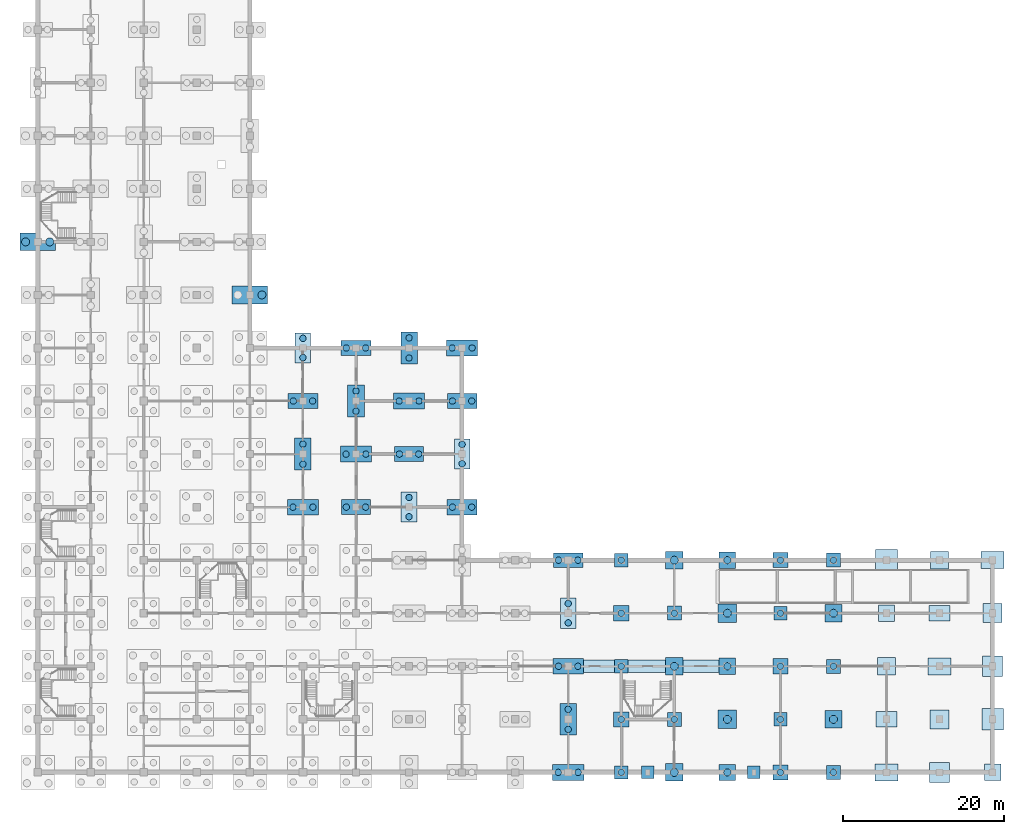
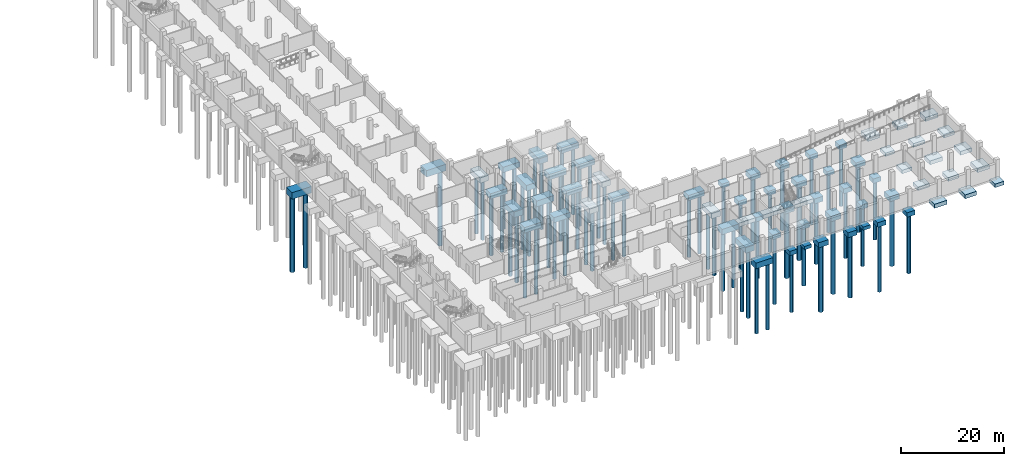
# One storey, part 3 of 18: 70 piles, 68 footings.
"""IFC4 building model written with IfcOpenShell, lengths in metres."""

from ifc_helpers import new_model, si_unit, direction, frame, origin, origin_2d, place, context, subcontext, project, spatial, rectangle, circle, extrude, material, material_profile, profile_set, type_object, element, save


model = new_model("IFC4")

# Units and contexts
model_context = context("Model", 3, precision=1e-05, world=origin(), true_north=direction((0.0, 1.0)))
body_context = subcontext(model_context, "Body", "Model", "MODEL_VIEW")
ifc_project = project(units=[si_unit("LENGTHUNIT", "METRE"), si_unit("AREAUNIT", "SQUARE_METRE"), si_unit("VOLUMEUNIT", "CUBIC_METRE"), si_unit("PLANEANGLEUNIT", "RADIAN"), si_unit("MASSUNIT", "GRAM", prefix="KILO")], contexts=[model_context])

# Site, building, storey
site_placement = place(None, origin())
site = spatial("IfcSite", under=ifc_project, at=site_placement, CompositionType="ELEMENT")
building_placement = place(site_placement, origin())
building = spatial("IfcBuilding", under=site, at=building_placement, Name="Rusizi Kubbe Research Institute", CompositionType="ELEMENT")
storey_placement = place(building_placement, frame((0.0, 0.0, -4.5)))
storey = spatial("IfcBuildingStorey", under=building, at=storey_placement, Name="B01", CompositionType="ELEMENT", Elevation=-4.5)

# Piles
ifc_material_1 = material(Name="Concrete C40/50", Category="concrete")
ifc_material_profile_1 = material_profile(ifc_material_1, circle(Radius=0.39990234375, at=origin_2d()), Name="PILE-D800")
ifc_profile_set_1 = profile_set([ifc_material_profile_1], Name="Concrete C40/50")
pile_type_1 = type_object("IfcPileType", Name="P-01", PredefinedType="BORED", material=ifc_profile_set_1)
for number, where, z_axis, x_axis, name in (
    (1, (31.800048828125, 46.199951171875, -1.97998046875), (0.0, 0.0, -1.0), (1.0, 0.0, 0.0), "Bored Pile P-01 (5,7)-1"),
    (2, (34.199951171875, 46.199951171875, -1.97998046875), (0.0, 0.0, -1.0), (1.0, 0.0, 0.0), "Bored Pile P-01 (5,7)-2"),
    (3, (33.0, 51.60009765625, -1.9599609375), (0.0, 0.0, -1.0), (1.0, 0.0, 0.0), "Bored Pile P-01 (5,8)-1"),
    (4, (33.0, 54.0, -1.9599609375), (0.0, 0.0, -1.0), (1.0, 0.0, 0.0), "Bored Pile P-01 (5,8)-2"),
    (5, (38.39990234375, 33.0, -1.93994140625), (0.0, 0.0, -1.0), (1.0, 0.0, 0.0), "Bored Pile P-01 (6,5)-1"),
    (6, (40.800048828125, 33.0, -1.93994140625), (0.0, 0.0, -1.0), (1.0, 0.0, 0.0), "Bored Pile P-01 (6,5)-2"),
    (7, (38.39990234375, 52.800048828125, -1.97998046875), (0.0, 0.0, -1.0), (1.0, 0.0, 0.0), "Bored Pile P-01 (6,8)-1"),
    (8, (40.800048828125, 52.800048828125, -1.97998046875), (0.0, 0.0, -1.0), (1.0, 0.0, 0.0), "Bored Pile P-01 (6,8)-2"),
    (9, (46.199951171875, 31.800048828125, -1.9599609375), (0.0, 0.0, -1.0), (1.0, 0.0, 0.0), "Bored Pile P-01 (7,5)-1"),
    (10, (46.199951171875, 34.199951171875, -1.9599609375), (0.0, 0.0, -1.0), (1.0, 0.0, 0.0), "Bored Pile P-01 (7,5)-2"),
    (11, (45.0, 39.60009765625, -1.93994140625), (0.0, 0.0, -1.0), (1.0, 0.0, 0.0), "Bored Pile P-01 (7,6)-1"),
    (12, (47.39990234375, 39.60009765625, -1.93994140625), (0.0, 0.0, -1.0), (1.0, 0.0, 0.0), "Bored Pile P-01 (7,6)-2"),
    (13, (51.60009765625, 33.0, -1.97998046875), (0.0, 0.0, -1.0), (1.0, 0.0, 0.0), "Bored Pile P-01 (8,5)-1"),
    (14, (54.0, 33.0, -1.97998046875), (0.0, 0.0, -1.0), (1.0, 0.0, 0.0), "Bored Pile P-01 (8,5)-2"),
    (15, (52.800048828125, 38.39990234375, -1.9599609375), (0.0, 0.0, -1.0), (1.0, 0.0, 0.0), "Bored Pile P-01 (8,6)-1"),
    (16, (52.800048828125, 40.800048828125, -1.9599609375), (0.0, 0.0, -1.0), (1.0, 0.0, 0.0), "Bored Pile P-01 (8,6)-2"),
    (17, (51.60009765625, 46.199951171875, -1.93994140625), (0.0, 0.0, -1.0), (1.0, 0.0, 0.0), "Bored Pile P-01 (8,7)-1"),
    (18, (54.0, 46.199951171875, -1.93994140625), (0.0, 0.0, -1.0), (1.0, 0.0, 0.0), "Bored Pile P-01 (8,7)-2"),
    (19, (64.800048828125, 13.199951171875, -1.97998046875), (0.0, 0.0, -1.0), (1.0, 0.0, 0.0), "Bored Pile P-01 (10,2)-1"),
    (20, (67.199951171875, 13.199951171875, -1.97998046875), (0.0, 0.0, -1.0), (1.0, 0.0, 0.0), "Bored Pile P-01 (10,2)-2"),
    (21, (66.0, 18.60009765625, -1.9599609375), (0.0, 0.0, -1.0), (1.0, 0.0, 0.0), "Bored Pile P-01 (10,3)-1"),
    (22, (66.0, 21.0, -1.9599609375), (0.0, 0.0, -1.0), (1.0, 0.0, 0.0), "Bored Pile P-01 (10,3)-2"),
    (23, (64.800048828125, 26.39990234375, -1.93994140625), (0.0, 0.0, -1.0), (1.0, 0.0, 0.0), "Bored Pile P-01 (10,4)-1"),
    (24, (67.199951171875, 26.39990234375, -1.93994140625), (0.0, 0.0, -1.0), (1.0, 0.0, 0.0), "Bored Pile P-01 (10,4)-2"),
    (25, (72.60009765625, 0.0, -1.719970703125), (0.0, 0.0, -1.0), (1.0, 0.0, 0.0), "Bored Pile P-01 (11,0)-1"),
    (26, (72.60009765625, 13.199951171875, -1.719970703125), (0.0, 0.0, -1.0), (1.0, 0.0, 0.0), "Bored Pile P-01 (11,2)-1"),
    (27, (72.60009765625, 26.39990234375, -1.719970703125), (0.0, 0.0, -1.0), (1.0, 0.0, 0.0), "Bored Pile P-01 (11,4)-1"),
    (28, (79.199951171875, 6.60009765625, -1.760009765625), (0.0, 0.0, -1.0), (1.0, 0.0, 0.0), "Bored Pile P-01 (12,1)-1"),
    (29, (79.199951171875, 19.800048828125, -1.760009765625), (0.0, 0.0, -1.0), (1.0, 0.0, 0.0), "Bored Pile P-01 (12,3)-1"),
    (30, (92.39990234375, 6.60009765625, -1.719970703125), (0.0, 0.0, -1.0), (1.0, 0.0, 0.0), "Bored Pile P-01 (14,1)-1"),
    (31, (92.39990234375, 19.800048828125, -1.719970703125), (0.0, 0.0, -1.0), (1.0, 0.0, 0.0), "Bored Pile P-01 (14,3)-1"),
    (32, (99.0, 0.0, -1.760009765625), (0.0, 0.0, -1.0), (1.0, 0.0, 0.0), "Bored Pile P-01 (15,0)-1"),
    (33, (99.0, 13.199951171875, -1.760009765625), (0.0, 0.0, -1.0), (1.0, 0.0, 0.0), "Bored Pile P-01 (15,2)-1"),
    (34, (99.0, 26.39990234375, -1.760009765625), (0.0, 0.0, -1.0), (1.0, 0.0, 0.0), "Bored Pile P-01 (15,4)-1"),
):
    element("IfcPile", number, at=place(storey_placement, frame(where, z_axis=z_axis, x_axis=x_axis)), inside=storey, type_object=pile_type_1, Name=name, PredefinedType="BORED", context=body_context, shape_type="SweptSolid", body=[
        extrude(circle(Radius=0.39990234375, at=origin_2d()), origin(), (0.0, 0.0, 1.0), 14.0),
    ])
ifc_material_2 = material(Name="Concrete C40/50", Category="concrete")
ifc_material_profile_2 = material_profile(ifc_material_2, circle(Radius=0.39990234375, at=origin_2d()), Name="PILE-D800")
ifc_profile_set_2 = profile_set([ifc_material_profile_2], Name="Concrete C40/50")
pile_type_2 = type_object("IfcPileType", Name="P-02", PredefinedType="BORED", material=ifc_profile_set_2)
for number, where, z_axis, x_axis, name in (
    (35, (31.760009765625, 33.0, -2.030029296875), (0.0, 0.0, -1.0), (1.0, 0.0, 0.0), "Bored Pile P-02 (5,5)-1"),
    (36, (34.239990234375, 33.0, -2.030029296875), (0.0, 0.0, -1.0), (1.0, 0.0, 0.0), "Bored Pile P-02 (5,5)-2"),
    (37, (33.0, 38.35009765625, -2.06005859375), (0.0, 0.0, -1.0), (1.0, 0.0, 0.0), "Bored Pile P-02 (5,6)-1"),
    (38, (33.0, 40.85009765625, -2.06005859375), (0.0, 0.0, -1.0), (1.0, 0.0, 0.0), "Bored Pile P-02 (5,6)-2"),
    (39, (38.360107421875, 39.60009765625, -2.030029296875), (0.0, 0.0, -1.0), (1.0, 0.0, 0.0), "Bored Pile P-02 (6,6)-1"),
    (40, (40.840087890625, 39.60009765625, -2.030029296875), (0.0, 0.0, -1.0), (1.0, 0.0, 0.0), "Bored Pile P-02 (6,6)-2"),
    (41, (39.60009765625, 44.949951171875, -2.06005859375), (0.0, 0.0, -1.0), (1.0, 0.0, 0.0), "Bored Pile P-02 (6,7)-1"),
    (42, (39.60009765625, 47.449951171875, -2.06005859375), (0.0, 0.0, -1.0), (1.0, 0.0, 0.0), "Bored Pile P-02 (6,7)-2"),
    (43, (44.9599609375, 46.199951171875, -2.030029296875), (0.0, 0.0, -1.0), (1.0, 0.0, 0.0), "Bored Pile P-02 (7,7)-1"),
    (44, (47.43994140625, 46.199951171875, -2.030029296875), (0.0, 0.0, -1.0), (1.0, 0.0, 0.0), "Bored Pile P-02 (7,7)-2"),
    (45, (46.199951171875, 51.550048828125, -2.06005859375), (0.0, 0.0, -1.0), (1.0, 0.0, 0.0), "Bored Pile P-02 (7,8)-1"),
    (46, (46.199951171875, 54.050048828125, -2.06005859375), (0.0, 0.0, -1.0), (1.0, 0.0, 0.0), "Bored Pile P-02 (7,8)-2"),
    (47, (51.56005859375, 52.800048828125, -2.030029296875), (0.0, 0.0, -1.0), (1.0, 0.0, 0.0), "Bored Pile P-02 (8,8)-1"),
    (48, (54.0400390625, 52.800048828125, -2.030029296875), (0.0, 0.0, -1.0), (1.0, 0.0, 0.0), "Bored Pile P-02 (8,8)-2"),
    (49, (64.760009765625, 0.0, -2.030029296875), (0.0, 0.0, -1.0), (1.0, 0.0, 0.0), "Bored Pile P-02 (10,0)-1"),
    (50, (67.239990234375, 0.0, -2.030029296875), (0.0, 0.0, -1.0), (1.0, 0.0, 0.0), "Bored Pile P-02 (10,0)-2"),
    (51, (66.0, 5.35009765625, -2.06005859375), (0.0, 0.0, -1.0), (1.0, 0.0, 0.0), "Bored Pile P-02 (10,1)-1"),
    (52, (66.0, 7.85009765625, -2.06005859375), (0.0, 0.0, -1.0), (1.0, 0.0, 0.0), "Bored Pile P-02 (10,1)-2"),
    (53, (72.60009765625, 6.60009765625, -1.820068359375), (0.0, 0.0, -1.0), (1.0, 0.0, 0.0), "Bored Pile P-02 (11,1)-1"),
    (54, (72.60009765625, 19.800048828125, -1.820068359375), (0.0, 0.0, -1.0), (1.0, 0.0, 0.0), "Bored Pile P-02 (11,3)-1"),
    (55, (92.39990234375, 0.0, -1.820068359375), (0.0, 0.0, -1.0), (1.0, 0.0, 0.0), "Bored Pile P-02 (14,0)-1"),
    (56, (92.39990234375, 13.199951171875, -1.820068359375), (0.0, 0.0, -1.0), (1.0, 0.0, 0.0), "Bored Pile P-02 (14,2)-1"),
    (57, (92.39990234375, 26.39990234375, -1.820068359375), (0.0, 0.0, -1.0), (1.0, 0.0, 0.0), "Bored Pile P-02 (14,4)-1"),
):
    element("IfcPile", number, at=place(storey_placement, frame(where, z_axis=z_axis, x_axis=x_axis)), inside=storey, type_object=pile_type_2, Name=name, PredefinedType="BORED", context=body_context, shape_type="SweptSolid", body=[
        extrude(circle(Radius=0.39990234375, at=origin_2d()), origin(), (0.0, 0.0, 1.0), 16.0),
    ])
ifc_material_3 = material(Name="Concrete C40/50", Category="concrete")
ifc_material_profile_3 = material_profile(ifc_material_3, circle(Radius=0.449951171875, at=origin_2d()), Name="PILE-D900")
ifc_profile_set_3 = profile_set([ifc_material_profile_3], Name="Concrete C40/50")
pile_type_3 = type_object("IfcPileType", Name="P-03", PredefinedType="BORED", material=ifc_profile_set_3)
for number, where, z_axis, x_axis, name in (
    (58, (85.800048828125, 0.0, -1.8798828125), (0.0, 0.0, -1.0), (1.0, 0.0, 0.0), "Bored Pile P-03 (13,0)-1"),
    (59, (85.800048828125, 13.199951171875, -1.8798828125), (0.0, 0.0, -1.0), (1.0, 0.0, 0.0), "Bored Pile P-03 (13,2)-1"),
    (60, (85.800048828125, 26.39990234375, -1.8798828125), (0.0, 0.0, -1.0), (1.0, 0.0, 0.0), "Bored Pile P-03 (13,4)-1"),
):
    element("IfcPile", number, at=place(storey_placement, frame(where, z_axis=z_axis, x_axis=x_axis)), inside=storey, type_object=pile_type_3, Name=name, PredefinedType="BORED", context=body_context, shape_type="SweptSolid", body=[
        extrude(circle(Radius=0.449951171875, at=origin_2d()), origin(), (0.0, 0.0, 1.0), 15.0),
    ])
ifc_material_4 = material(Name="Concrete C40/50", Category="concrete")
ifc_material_profile_4 = material_profile(ifc_material_4, circle(Radius=0.5, at=origin_2d()), Name="PILE-D1000")
ifc_profile_set_4 = profile_set([ifc_material_profile_4], Name="Concrete C40/50")
pile_type_4 = type_object("IfcPileType", Name="P-05", PredefinedType="BORED", material=ifc_profile_set_4)
for number, where, z_axis, x_axis, name in (
    (61, (79.199951171875, 0.0, -1.919921875), (0.0, 0.0, -1.0), (1.0, 0.0, 0.0), "Bored Pile P-05 (12,0)-1"),
    (62, (79.199951171875, 13.199951171875, -1.919921875), (0.0, 0.0, -1.0), (1.0, 0.0, 0.0), "Bored Pile P-05 (12,2)-1"),
    (63, (79.199951171875, 26.39990234375, -1.919921875), (0.0, 0.0, -1.0), (1.0, 0.0, 0.0), "Bored Pile P-05 (12,4)-1"),
    (64, (99.0, 6.60009765625, -1.919921875), (0.0, 0.0, -1.0), (1.0, 0.0, 0.0), "Bored Pile P-05 (15,1)-1"),
    (65, (99.0, 19.800048828125, -1.919921875), (0.0, 0.0, -1.0), (1.0, 0.0, 0.0), "Bored Pile P-05 (15,3)-1"),
):
    element("IfcPile", number, at=place(storey_placement, frame(where, z_axis=z_axis, x_axis=x_axis)), inside=storey, type_object=pile_type_4, Name=name, PredefinedType="BORED", context=body_context, shape_type="SweptSolid", body=[
        extrude(circle(Radius=0.5, at=origin_2d()), origin(), (0.0, 0.0, 1.0), 16.0),
    ])
ifc_material_5 = material(Name="Concrete C40/50", Category="concrete")
ifc_material_profile_5 = material_profile(ifc_material_5, circle(Radius=0.5, at=origin_2d()), Name="PILE-D1000")
ifc_profile_set_5 = profile_set([ifc_material_profile_5], Name="Concrete C40/50")
pile_type_5 = type_object("IfcPileType", Name="P-06", PredefinedType="BORED", material=ifc_profile_set_5)
for number, where, z_axis, x_axis, name in (
    (66, (-1.5, 66.0, -2.25), (0.0, 0.0, -1.0), (1.0, 0.0, 0.0), "Bored Pile P-06 (0,10)-1"),
    (67, (1.5, 66.0, -2.25), (0.0, 0.0, -1.0), (1.0, 0.0, 0.0), "Bored Pile P-06 (0,10)-2"),
    (68, (27.89990234375, 59.39990234375, -2.25), (0.0, 0.0, -1.0), (1.0, 0.0, 0.0), "Bored Pile P-06 (4,9)-2"),
    (69, (85.800048828125, 6.60009765625, -1.9599609375), (0.0, 0.0, -1.0), (1.0, 0.0, 0.0), "Bored Pile P-06 (13,1)-1"),
    (70, (85.800048828125, 19.800048828125, -1.9599609375), (0.0, 0.0, -1.0), (1.0, 0.0, 0.0), "Bored Pile P-06 (13,3)-1"),
):
    element("IfcPile", number, at=place(storey_placement, frame(where, z_axis=z_axis, x_axis=x_axis)), inside=storey, type_object=pile_type_5, Name=name, PredefinedType="BORED", context=body_context, shape_type="SweptSolid", body=[
        extrude(circle(Radius=0.5, at=origin_2d()), origin(), (0.0, 0.0, 1.0), 18.0),
    ])

# Footings
ifc_material_6 = material(Name="Concrete C40/50", Category="concrete")
footing_type_1 = type_object("IfcFootingType", Name="PC-05", PredefinedType="PILE_CAP", material=ifc_material_6)
for number, where, z_axis, x_axis, name in (
    (71, (0.0, 66.0, -2.25), (0.0, 0.0, 1.0), (1.0, 0.0, 0.0), "Pile Cap PC-05 (0,10)"),
    (72, (26.39990234375, 59.39990234375, -2.25), (0.0, 0.0, 1.0), (1.0, 0.0, 0.0), "Pile Cap PC-05 (4,9)"),
):
    element("IfcFooting", number, at=place(storey_placement, frame(where, z_axis=z_axis, x_axis=x_axis)), inside=storey, type_object=footing_type_1, Name=name, PredefinedType="PILE_CAP", context=body_context, shape_type="SweptSolid", body=[
        extrude(rectangle(XDim=4.39990234375, YDim=2.199951171875, at=origin_2d()), origin(), (0.0, 0.0, 1.0), 1.550048828125),
    ])
ifc_material_7 = material(Name="Concrete C40/50", Category="concrete")
footing_type_2 = type_object("IfcFootingType", Name="PC-09", PredefinedType="PILE_CAP", material=ifc_material_7)
for number, where, z_axis, x_axis, name in (
    (73, (33.0, 33.0, -2.030029296875), (0.0, 0.0, 1.0), (1.0, 0.0, 0.0), "Pile Cap PC-09 (5,5)"),
    (74, (39.60009765625, 39.60009765625, -2.030029296875), (0.0, 0.0, 1.0), (1.0, 0.0, 0.0), "Pile Cap PC-09 (6,6)"),
    (75, (46.199951171875, 46.199951171875, -2.030029296875), (0.0, 0.0, 1.0), (1.0, 0.0, 0.0), "Pile Cap PC-09 (7,7)"),
    (76, (52.800048828125, 52.800048828125, -2.030029296875), (0.0, 0.0, 1.0), (1.0, 0.0, 0.0), "Pile Cap PC-09 (8,8)"),
    (77, (66.0, 0.0, -2.030029296875), (0.0, 0.0, 1.0), (1.0, 0.0, 0.0), "Pile Cap PC-09 (10,0)"),
):
    element("IfcFooting", number, at=place(storey_placement, frame(where, z_axis=z_axis, x_axis=x_axis)), inside=storey, type_object=footing_type_2, Name=name, PredefinedType="PILE_CAP", context=body_context, shape_type="SweptSolid", body=[
        extrude(rectangle(XDim=3.8798828125, YDim=1.9599609375, at=origin_2d()), origin(), (0.0, 0.0, 1.0), 1.330078125),
    ])
ifc_material_8 = material(Name="Concrete C40/50", Category="concrete")
footing_type_3 = type_object("IfcFootingType", Name="PC-10", PredefinedType="PILE_CAP", material=ifc_material_8)
for number, where, z_axis, x_axis, name in (
    (78, (33.0, 46.199951171875, -1.97998046875), (0.0, 0.0, 1.0), (1.0, 0.0, 0.0), "Pile Cap PC-10 (5,7)"),
    (79, (39.60009765625, 52.800048828125, -1.97998046875), (0.0, 0.0, 1.0), (1.0, 0.0, 0.0), "Pile Cap PC-10 (6,8)"),
    (80, (52.800048828125, 33.0, -1.97998046875), (0.0, 0.0, 1.0), (1.0, 0.0, 0.0), "Pile Cap PC-10 (8,5)"),
    (81, (66.0, 13.199951171875, -1.97998046875), (0.0, 0.0, 1.0), (1.0, 0.0, 0.0), "Pile Cap PC-10 (10,2)"),
):
    element("IfcFooting", number, at=place(storey_placement, frame(where, z_axis=z_axis, x_axis=x_axis)), inside=storey, type_object=footing_type_3, Name=name, PredefinedType="PILE_CAP", context=body_context, shape_type="SweptSolid", body=[
        extrude(rectangle(XDim=3.760009765625, YDim=1.89990234375, at=origin_2d()), origin(), (0.0, 0.0, 1.0), 1.280029296875),
    ])
ifc_material_9 = material(Name="Concrete C40/50", Category="concrete")
footing_type_4 = type_object("IfcFootingType", Name="PC-11", PredefinedType="PILE_CAP", material=ifc_material_9)
for number, where, z_axis, x_axis, name in (
    (82, (39.60009765625, 33.0, -1.93994140625), (0.0, 0.0, 1.0), (1.0, 0.0, 0.0), "Pile Cap PC-11 (6,5)"),
    (83, (46.199951171875, 39.60009765625, -1.93994140625), (0.0, 0.0, 1.0), (1.0, 0.0, 0.0), "Pile Cap PC-11 (7,6)"),
    (84, (52.800048828125, 46.199951171875, -1.93994140625), (0.0, 0.0, 1.0), (1.0, 0.0, 0.0), "Pile Cap PC-11 (8,7)"),
    (85, (66.0, 26.39990234375, -1.93994140625), (0.0, 0.0, 1.0), (1.0, 0.0, 0.0), "Pile Cap PC-11 (10,4)"),
):
    element("IfcFooting", number, at=place(storey_placement, frame(where, z_axis=z_axis, x_axis=x_axis)), inside=storey, type_object=footing_type_4, Name=name, PredefinedType="PILE_CAP", context=body_context, shape_type="SweptSolid", body=[
        extrude(rectangle(XDim=3.659912109375, YDim=1.840087890625, at=origin_2d()), origin(), (0.0, 0.0, 1.0), 1.239990234375),
    ])
ifc_material_10 = material(Name="Concrete C40/50", Category="concrete")
footing_type_5 = type_object("IfcFootingType", Name="PC-13", PredefinedType="PILE_CAP", material=ifc_material_10)
for number, where, z_axis, x_axis, name in (
    (86, (33.0, 39.60009765625, -2.06005859375), (0.0, 0.0, 1.0), (1.0, 0.0, 0.0), "Pile Cap PC-13 (5,6)"),
    (87, (39.60009765625, 46.199951171875, -2.06005859375), (0.0, 0.0, 1.0), (1.0, 0.0, 0.0), "Pile Cap PC-13 (6,7)"),
    (88, (46.199951171875, 52.800048828125, -2.06005859375), (0.0, 0.0, 1.0), (1.0, 0.0, 0.0), "Pile Cap PC-13 (7,8)"),
    (89, (66.0, 6.60009765625, -2.06005859375), (0.0, 0.0, 1.0), (1.0, 0.0, 0.0), "Pile Cap PC-13 (10,1)"),
):
    element("IfcFooting", number, at=place(storey_placement, frame(where, z_axis=z_axis, x_axis=x_axis)), inside=storey, type_object=footing_type_5, Name=name, PredefinedType="PILE_CAP", context=body_context, shape_type="SweptSolid", body=[
        extrude(rectangle(XDim=2.06005859375, YDim=3.9599609375, at=origin_2d()), origin(), (0.0, 0.0, 1.0), 1.360107421875),
    ])
ifc_material_11 = material(Name="Concrete C40/50", Category="concrete")
footing_type_6 = type_object("IfcFootingType", Name="PC-14", PredefinedType="PILE_CAP", material=ifc_material_11)
for number, where, z_axis, x_axis, name in (
    (90, (33.0, 52.800048828125, -1.9599609375), (0.0, 0.0, 1.0), (1.0, 0.0, 0.0), "Pile Cap PC-14 (5,8)"),
    (91, (46.199951171875, 33.0, -1.9599609375), (0.0, 0.0, 1.0), (1.0, 0.0, 0.0), "Pile Cap PC-14 (7,5)"),
    (92, (52.800048828125, 39.60009765625, -1.9599609375), (0.0, 0.0, 1.0), (1.0, 0.0, 0.0), "Pile Cap PC-14 (8,6)"),
    (93, (66.0, 19.800048828125, -1.9599609375), (0.0, 0.0, 1.0), (1.0, 0.0, 0.0), "Pile Cap PC-14 (10,3)"),
):
    element("IfcFooting", number, at=place(storey_placement, frame(where, z_axis=z_axis, x_axis=x_axis)), inside=storey, type_object=footing_type_6, Name=name, PredefinedType="PILE_CAP", context=body_context, shape_type="SweptSolid", body=[
        extrude(rectangle(XDim=1.93994140625, YDim=3.739990234375, at=origin_2d()), origin(), (0.0, 0.0, 1.0), 1.260009765625),
    ])
ifc_material_12 = material(Name="Concrete C40/50", Category="concrete")
footing_type_7 = type_object("IfcFootingType", Name="PC-15", PredefinedType="PILE_CAP", material=ifc_material_12)
for number, where, z_axis, x_axis, name in (
    (94, (79.199951171875, 0.0, -1.919921875), (0.0, 0.0, 1.0), (1.0, 0.0, 0.0), "Pile Cap PC-15 (12,0)"),
    (95, (79.199951171875, 13.199951171875, -1.919921875), (0.0, 0.0, 1.0), (1.0, 0.0, 0.0), "Pile Cap PC-15 (12,2)"),
    (96, (79.199951171875, 26.39990234375, -1.919921875), (0.0, 0.0, 1.0), (1.0, 0.0, 0.0), "Pile Cap PC-15 (12,4)"),
    (97, (99.0, 6.60009765625, -1.919921875), (0.0, 0.0, 1.0), (1.0, 0.0, 0.0), "Pile Cap PC-15 (15,1)"),
    (98, (99.0, 19.800048828125, -1.919921875), (0.0, 0.0, 1.0), (1.0, 0.0, 0.0), "Pile Cap PC-15 (15,3)"),
):
    element("IfcFooting", number, at=place(storey_placement, frame(where, z_axis=z_axis, x_axis=x_axis)), inside=storey, type_object=footing_type_7, Name=name, PredefinedType="PILE_CAP", context=body_context, shape_type="SweptSolid", body=[
        extrude(rectangle(XDim=2.159912109375, YDim=2.159912109375, at=origin_2d()), origin(), (0.0, 0.0, 1.0), 1.219970703125),
    ])
ifc_material_13 = material(Name="Concrete C40/50", Category="concrete")
footing_type_8 = type_object("IfcFootingType", Name="PC-16", PredefinedType="PILE_CAP", material=ifc_material_13)
for number, where, z_axis, x_axis, name in (
    (99, (85.800048828125, 0.0, -1.8798828125), (0.0, 0.0, 1.0), (1.0, 0.0, 0.0), "Pile Cap PC-16 (13,0)"),
    (100, (85.800048828125, 13.199951171875, -1.8798828125), (0.0, 0.0, 1.0), (1.0, 0.0, 0.0), "Pile Cap PC-16 (13,2)"),
    (101, (85.800048828125, 26.39990234375, -1.8798828125), (0.0, 0.0, 1.0), (1.0, 0.0, 0.0), "Pile Cap PC-16 (13,4)"),
):
    element("IfcFooting", number, at=place(storey_placement, frame(where, z_axis=z_axis, x_axis=x_axis)), inside=storey, type_object=footing_type_8, Name=name, PredefinedType="PILE_CAP", context=body_context, shape_type="SweptSolid", body=[
        extrude(rectangle(XDim=2.02001953125, YDim=2.02001953125, at=origin_2d()), origin(), (0.0, 0.0, 1.0), 1.179931640625),
    ])
ifc_material_14 = material(Name="Concrete C40/50", Category="concrete")
footing_type_9 = type_object("IfcFootingType", Name="PC-17", PredefinedType="PILE_CAP", material=ifc_material_14)
for number, where, z_axis, x_axis, name in (
    (102, (72.60009765625, 6.60009765625, -1.820068359375), (0.0, 0.0, 1.0), (1.0, 0.0, 0.0), "Pile Cap PC-17 (11,1)"),
    (103, (72.60009765625, 19.800048828125, -1.820068359375), (0.0, 0.0, 1.0), (1.0, 0.0, 0.0), "Pile Cap PC-17 (11,3)"),
    (104, (92.39990234375, 0.0, -1.820068359375), (0.0, 0.0, 1.0), (1.0, 0.0, 0.0), "Pile Cap PC-17 (14,0)"),
    (105, (92.39990234375, 13.199951171875, -1.820068359375), (0.0, 0.0, 1.0), (1.0, 0.0, 0.0), "Pile Cap PC-17 (14,2)"),
    (106, (92.39990234375, 26.39990234375, -1.820068359375), (0.0, 0.0, 1.0), (1.0, 0.0, 0.0), "Pile Cap PC-17 (14,4)"),
):
    element("IfcFooting", number, at=place(storey_placement, frame(where, z_axis=z_axis, x_axis=x_axis)), inside=storey, type_object=footing_type_9, Name=name, PredefinedType="PILE_CAP", context=body_context, shape_type="SweptSolid", body=[
        extrude(rectangle(XDim=1.8798828125, YDim=1.8798828125, at=origin_2d()), origin(), (0.0, 0.0, 1.0), 1.1201171875),
    ])
ifc_material_15 = material(Name="Concrete C40/50", Category="concrete")
footing_type_10 = type_object("IfcFootingType", Name="PC-18", PredefinedType="PILE_CAP", material=ifc_material_15)
for number, where, z_axis, x_axis, name in (
    (107, (79.199951171875, 6.60009765625, -1.760009765625), (0.0, 0.0, 1.0), (1.0, 0.0, 0.0), "Pile Cap PC-18 (12,1)"),
    (108, (79.199951171875, 19.800048828125, -1.760009765625), (0.0, 0.0, 1.0), (1.0, 0.0, 0.0), "Pile Cap PC-18 (12,3)"),
    (109, (99.0, 0.0, -1.760009765625), (0.0, 0.0, 1.0), (1.0, 0.0, 0.0), "Pile Cap PC-18 (15,0)"),
    (110, (99.0, 13.199951171875, -1.760009765625), (0.0, 0.0, 1.0), (1.0, 0.0, 0.0), "Pile Cap PC-18 (15,2)"),
    (111, (99.0, 26.39990234375, -1.760009765625), (0.0, 0.0, 1.0), (1.0, 0.0, 0.0), "Pile Cap PC-18 (15,4)"),
):
    element("IfcFooting", number, at=place(storey_placement, frame(where, z_axis=z_axis, x_axis=x_axis)), inside=storey, type_object=footing_type_10, Name=name, PredefinedType="PILE_CAP", context=body_context, shape_type="SweptSolid", body=[
        extrude(rectangle(XDim=1.739990234375, YDim=1.739990234375, at=origin_2d()), origin(), (0.0, 0.0, 1.0), 1.06005859375),
    ])
ifc_material_16 = material(Name="Concrete C40/50", Category="concrete")
footing_type_11 = type_object("IfcFootingType", Name="PC-19", PredefinedType="PILE_CAP", material=ifc_material_16)
for number, where, z_axis, x_axis, name in (
    (112, (85.800048828125, 6.60009765625, -1.9599609375), (0.0, 0.0, 1.0), (1.0, 0.0, 0.0), "Pile Cap PC-19 (13,1)"),
    (113, (85.800048828125, 19.800048828125, -1.9599609375), (0.0, 0.0, 1.0), (1.0, 0.0, 0.0), "Pile Cap PC-19 (13,3)"),
):
    element("IfcFooting", number, at=place(storey_placement, frame(where, z_axis=z_axis, x_axis=x_axis)), inside=storey, type_object=footing_type_11, Name=name, PredefinedType="PILE_CAP", context=body_context, shape_type="SweptSolid", body=[
        extrude(rectangle(XDim=2.280029296875, YDim=2.280029296875, at=origin_2d()), origin(), (0.0, 0.0, 1.0), 1.260009765625),
    ])
ifc_material_17 = material(Name="Concrete C40/50", Category="concrete")
footing_type_12 = type_object("IfcFootingType", Name="PC-20", PredefinedType="PILE_CAP", material=ifc_material_17)
for number, where, z_axis, x_axis, name in (
    (114, (72.60009765625, 0.0, -1.719970703125), (0.0, 0.0, 1.0), (1.0, 0.0, 0.0), "Pile Cap PC-20 (11,0)"),
    (115, (72.60009765625, 13.199951171875, -1.719970703125), (0.0, 0.0, 1.0), (1.0, 0.0, 0.0), "Pile Cap PC-20 (11,2)"),
    (116, (72.60009765625, 26.39990234375, -1.719970703125), (0.0, 0.0, 1.0), (1.0, 0.0, 0.0), "Pile Cap PC-20 (11,4)"),
    (117, (92.39990234375, 6.60009765625, -1.719970703125), (0.0, 0.0, 1.0), (1.0, 0.0, 0.0), "Pile Cap PC-20 (14,1)"),
    (118, (92.39990234375, 19.800048828125, -1.719970703125), (0.0, 0.0, 1.0), (1.0, 0.0, 0.0), "Pile Cap PC-20 (14,3)"),
):
    element("IfcFooting", number, at=place(storey_placement, frame(where, z_axis=z_axis, x_axis=x_axis)), inside=storey, type_object=footing_type_12, Name=name, PredefinedType="PILE_CAP", context=body_context, shape_type="SweptSolid", body=[
        extrude(rectangle(XDim=1.639892578125, YDim=1.639892578125, at=origin_2d()), origin(), (0.0, 0.0, 1.0), 1.02001953125),
    ])
ifc_material_18 = material(Name="Concrete C40/50", Category="concrete")
footing_type_13 = type_object("IfcFootingType", Name="PF-01", PredefinedType="PAD_FOOTING", material=ifc_material_18)
for number, where, z_axis, x_axis, name in (
    (119, (105.60009765625, 26.39990234375, -1.659912109375), (0.0, 0.0, 1.0), (1.0, 0.0, 0.0), "Pad Footing PF-01 (16,4)"),
    (120, (118.800048828125, 6.60009765625, -1.659912109375), (0.0, 0.0, 1.0), (1.0, 0.0, 0.0), "Pad Footing PF-01 (18,1)"),
):
    element("IfcFooting", number, at=place(storey_placement, frame(where, z_axis=z_axis, x_axis=x_axis)), inside=storey, type_object=footing_type_13, Name=name, PredefinedType="PAD_FOOTING", context=body_context, shape_type="SweptSolid", body=[
        extrude(rectangle(XDim=2.679931640625, YDim=2.679931640625, at=origin_2d()), origin(), (0.0, 0.0, 1.0), 0.9599609375),
    ])
ifc_material_19 = material(Name="Concrete C40/50", Category="concrete")
footing_type_14 = type_object("IfcFootingType", Name="PF-02", PredefinedType="PAD_FOOTING", material=ifc_material_19)
for number, where, z_axis, x_axis, name in (
    (121, (112.199951171875, 0.0, -1.619873046875), (0.0, 0.0, 1.0), (1.0, 0.0, 0.0), "Pad Footing PF-02 (17,0)"),
    (122, (118.800048828125, 13.199951171875, -1.619873046875), (0.0, 0.0, 1.0), (1.0, 0.0, 0.0), "Pad Footing PF-02 (18,2)"),
):
    element("IfcFooting", number, at=place(storey_placement, frame(where, z_axis=z_axis, x_axis=x_axis)), inside=storey, type_object=footing_type_14, Name=name, PredefinedType="PAD_FOOTING", context=body_context, shape_type="SweptSolid", body=[
        extrude(rectangle(XDim=2.52001953125, YDim=2.52001953125, at=origin_2d()), origin(), (0.0, 0.0, 1.0), 0.919921875),
    ])
ifc_material_20 = material(Name="Concrete C40/50", Category="concrete")
footing_type_15 = type_object("IfcFootingType", Name="PF-03", PredefinedType="PAD_FOOTING", material=ifc_material_20)
for number, where, z_axis, x_axis, name in (
    (123, (112.199951171875, 6.60009765625, -1.579833984375), (0.0, 0.0, 1.0), (1.0, 0.0, 0.0), "Pad Footing PF-03 (17,1)"),
    (124, (118.800048828125, 19.800048828125, -1.579833984375), (0.0, 0.0, 1.0), (1.0, 0.0, 0.0), "Pad Footing PF-03 (18,3)"),
):
    element("IfcFooting", number, at=place(storey_placement, frame(where, z_axis=z_axis, x_axis=x_axis)), inside=storey, type_object=footing_type_15, Name=name, PredefinedType="PAD_FOOTING", context=body_context, shape_type="SweptSolid", body=[
        extrude(rectangle(XDim=2.360107421875, YDim=2.360107421875, at=origin_2d()), origin(), (0.0, 0.0, 1.0), 0.8798828125),
    ])
ifc_material_21 = material(Name="Concrete C40/50", Category="concrete")
footing_type_16 = type_object("IfcFootingType", Name="PF-04", PredefinedType="PAD_FOOTING", material=ifc_material_21)
for number, where, z_axis, x_axis, name in (
    (125, (75.89990234375, 0.0, -1.5), (0.0, 0.0, 1.0), (1.0, 0.0, 0.0), "Pilaster Pad Footing PF-04 S11"),
    (126, (89.10009765625, 0.0, -1.5), (0.0, 0.0, 1.0), (1.0, 0.0, 0.0), "Pilaster Pad Footing PF-04 S13"),
):
    element("IfcFooting", number, at=place(storey_placement, frame(where, z_axis=z_axis, x_axis=x_axis)), inside=storey, type_object=footing_type_16, Name=name, PredefinedType="PAD_FOOTING", context=body_context, shape_type="SweptSolid", body=[
        extrude(rectangle(XDim=1.580078125, YDim=1.580078125, at=origin_2d()), origin(), (0.0, 0.0, 1.0), 0.800048828125),
    ])
ifc_material_22 = material(Name="Concrete C40/50", Category="concrete")
footing_type_17 = type_object("IfcFootingType", Name="PF-05", PredefinedType="PAD_FOOTING", material=ifc_material_22)
for number, where, z_axis, x_axis, name in (
    (127, (105.60009765625, 0.0, -1.639892578125), (0.0, 0.0, 1.0), (1.0, 0.0, 0.0), "Pad Footing PF-05 (16,0)"),
    (128, (112.199951171875, 13.199951171875, -1.639892578125), (0.0, 0.0, 1.0), (1.0, 0.0, 0.0), "Pad Footing PF-05 (17,2)"),
    (129, (118.800048828125, 26.39990234375, -1.639892578125), (0.0, 0.0, 1.0), (1.0, 0.0, 0.0), "Pad Footing PF-05 (18,4)"),
):
    element("IfcFooting", number, at=place(storey_placement, frame(where, z_axis=z_axis, x_axis=x_axis)), inside=storey, type_object=footing_type_17, Name=name, PredefinedType="PAD_FOOTING", context=body_context, shape_type="SweptSolid", body=[
        extrude(rectangle(XDim=2.840087890625, YDim=2.1201171875, at=origin_2d()), origin(), (0.0, 0.0, 1.0), 0.93994140625),
    ])
ifc_material_23 = material(Name="Concrete C40/50", Category="concrete")
footing_type_18 = type_object("IfcFootingType", Name="PF-06", PredefinedType="PAD_FOOTING", material=ifc_material_23)
for number, where, z_axis, x_axis, name in (
    (130, (105.60009765625, 6.60009765625, -1.56005859375), (0.0, 0.0, 1.0), (1.0, 0.0, 0.0), "Pad Footing PF-06 (16,1)"),
    (131, (112.199951171875, 19.800048828125, -1.56005859375), (0.0, 0.0, 1.0), (1.0, 0.0, 0.0), "Pad Footing PF-06 (17,3)"),
):
    element("IfcFooting", number, at=place(storey_placement, frame(where, z_axis=z_axis, x_axis=x_axis)), inside=storey, type_object=footing_type_18, Name=name, PredefinedType="PAD_FOOTING", context=body_context, shape_type="SweptSolid", body=[
        extrude(rectangle(XDim=2.60009765625, YDim=1.93994140625, at=origin_2d()), origin(), (0.0, 0.0, 1.0), 0.860107421875),
    ])
ifc_material_24 = material(Name="Concrete C40/50", Category="concrete")
footing_type_19 = type_object("IfcFootingType", Name="PF-07", PredefinedType="PAD_FOOTING", material=ifc_material_24)
for number, where, z_axis, x_axis, name in (
    (132, (105.60009765625, 13.199951171875, -1.5400390625), (0.0, 0.0, 1.0), (1.0, 0.0, 0.0), "Pad Footing PF-07 (16,2)"),
    (133, (112.199951171875, 26.39990234375, -1.5400390625), (0.0, 0.0, 1.0), (1.0, 0.0, 0.0), "Pad Footing PF-07 (17,4)"),
):
    element("IfcFooting", number, at=place(storey_placement, frame(where, z_axis=z_axis, x_axis=x_axis)), inside=storey, type_object=footing_type_19, Name=name, PredefinedType="PAD_FOOTING", context=body_context, shape_type="SweptSolid", body=[
        extrude(rectangle(XDim=2.199951171875, YDim=2.199951171875, at=origin_2d()), origin(), (0.0, 0.0, 1.0), 0.840087890625),
    ])
ifc_material_25 = material(Name="Concrete C40/50", Category="concrete")
footing_type_20 = type_object("IfcFootingType", Name="PF-08", PredefinedType="PAD_FOOTING", material=ifc_material_25)
for number, where, z_axis, x_axis, name in (
    (134, (105.60009765625, 19.800048828125, -1.52001953125), (0.0, 0.0, 1.0), (1.0, 0.0, 0.0), "Pad Footing PF-08 (16,3)"),
    (135, (118.800048828125, 0.0, -1.52001953125), (0.0, 0.0, 1.0), (1.0, 0.0, 0.0), "Pad Footing PF-08 (18,0)"),
):
    element("IfcFooting", number, at=place(storey_placement, frame(where, z_axis=z_axis, x_axis=x_axis)), inside=storey, type_object=footing_type_20, Name=name, PredefinedType="PAD_FOOTING", context=body_context, shape_type="SweptSolid", body=[
        extrude(rectangle(XDim=2.0400390625, YDim=2.0400390625, at=origin_2d()), origin(), (0.0, 0.0, 1.0), 0.820068359375),
    ])
ifc_material_26 = material(Name="Concrete C40/50", Category="concrete")
footing_type_21 = type_object("IfcFootingType", Name="SF-02", PredefinedType="STRIP_FOOTING", material=ifc_material_26)
footing_1_placement = place(storey_placement, frame((69.830078125, 13.199951171875, -1.599853515625), z_axis=(0.0, 0.0, 1.0), x_axis=(1.0, 0.0, 0.0)))
element("IfcFooting", 136, at=footing_1_placement, inside=storey, type_object=footing_type_21, Name="Continuous Strip Footing SF-02-14", PredefinedType="STRIP_FOOTING", context=body_context, shape_type="SweptSolid", body=[
    extrude(rectangle(XDim=3.884033203125, YDim=1.52001953125, at=origin_2d()), origin(), (0.0, 0.0, 1.0), 0.89990234375),
])
footing_2_placement = place(storey_placement, frame((75.77001953125, 13.199951171875, -1.599853515625), z_axis=(0.0, 0.0, 1.0), x_axis=(1.0, 0.0, 0.0)))
element("IfcFooting", 137, at=footing_2_placement, inside=storey, type_object=footing_type_21, Name="Continuous Strip Footing SF-02-15", PredefinedType="STRIP_FOOTING", context=body_context, shape_type="SweptSolid", body=[
    extrude(rectangle(XDim=4.68408203125, YDim=1.52001953125, at=origin_2d()), origin(), (0.0, 0.0, 1.0), 0.89990234375),
])
footing_3_placement = place(storey_placement, frame((82.534912109375, 13.199951171875, -1.599853515625), z_axis=(0.0, 0.0, 1.0), x_axis=(1.0, 0.0, 0.0)))
element("IfcFooting", 138, at=footing_3_placement, inside=storey, type_object=footing_type_21, Name="Continuous Strip Footing SF-02-16", PredefinedType="STRIP_FOOTING", context=body_context, shape_type="SweptSolid", body=[
    extrude(rectangle(XDim=4.493896484375, YDim=1.52001953125, at=origin_2d()), origin(), (0.0, 0.0, 1.0), 0.89990234375),
])

save(model, "model.ifc")
